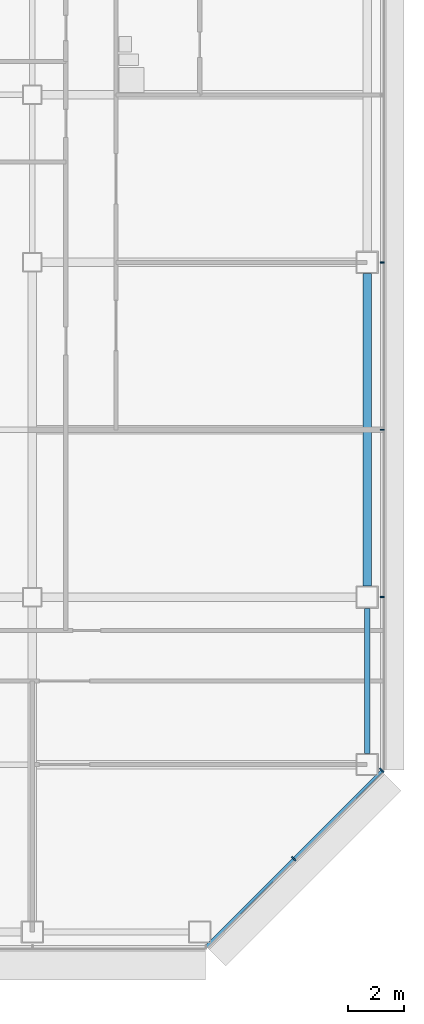
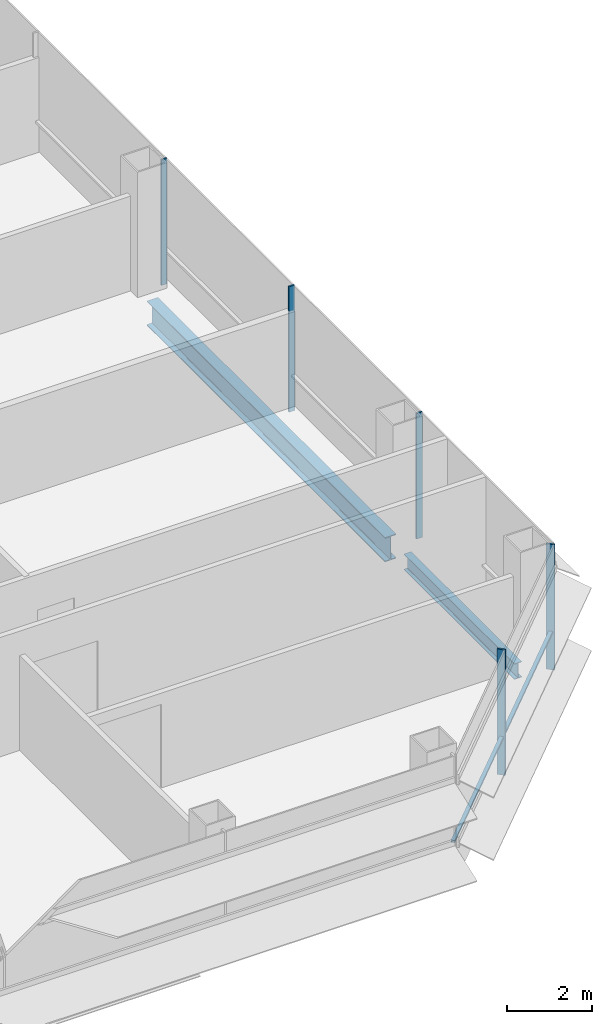
# One storey, part 15 of 25: 6 members, 2 beams, 2 elements without a shape of their own.
"""IFC4 building model written with IfcOpenShell, lengths in metres."""

from ifc_helpers import new_model, si_unit, direction, frame, origin, origin_2d, place, context, subcontext, project, spatial, rectangle, i_section, extrude, material, material_profile, profile_set, type_object, element, aggregate, save


model = new_model("IFC4")

# Units and contexts
model_context = context("Model", 3, precision=1e-05, world=origin(), true_north=direction((0.0, 1.0)))
body_context = subcontext(model_context, "Body", "Model", "MODEL_VIEW")
ifc_project = project(units=[si_unit("LENGTHUNIT", "METRE"), si_unit("AREAUNIT", "SQUARE_METRE"), si_unit("VOLUMEUNIT", "CUBIC_METRE"), si_unit("PLANEANGLEUNIT", "RADIAN"), si_unit("MASSUNIT", "GRAM", prefix="KILO")], contexts=[model_context])

# Site, building, storey
site_placement = place(None, origin())
site = spatial("IfcSite", under=ifc_project, at=site_placement, CompositionType="ELEMENT")
building_placement = place(site_placement, origin())
building = spatial("IfcBuilding", under=site, at=building_placement, Name="Sorahane Residences", CompositionType="ELEMENT")
storey_placement = place(building_placement, frame((0.0, 0.0, 126.800048828125)))
storey = spatial("IfcBuildingStorey", under=building, at=storey_placement, Name="L28", CompositionType="ELEMENT", Elevation=126.800048828125)

# Curtain wall, members
ifc_material_1 = material(Name="Dark low-e glass and black anodised aluminium", Category="aluminium")
curtain_wall_type_1 = type_object("IfcCurtainWallType", Name="Curtain wall CW-1 Typical unitised wall", PredefinedType="NOTDEFINED", material=ifc_material_1)
curtain_wall_1_placement = place(storey_placement, origin())
curtain_wall_1 = element("IfcCurtainWall", 1, at=curtain_wall_1_placement, inside=storey, type_object=curtain_wall_type_1, Name="CW-1 curtain wall L28 E1", PredefinedType="NOTDEFINED")
ifc_material_2 = material(Name="Black anodised aluminium", Category="aluminium")
ifc_material_profile_1 = material_profile(ifc_material_2, rectangle(XDim=0.159912109375, YDim=0.050048828125, at=origin_2d()), Name="Curtain wall mullion CW-1 black anodised aluminium 50x160")
ifc_profile_set_1 = profile_set([ifc_material_profile_1], Name="Black anodised aluminium")
member_type_1 = type_object("IfcMemberType", Name="Curtain wall mullion CW-1 black anodised aluminium 50x160", PredefinedType="MULLION", material=ifc_profile_set_1)
member_1_placement = place(storey_placement, frame((60.5400390625, 12.0, -0.179931640625), z_axis=(0.0, 0.0, 1.0), x_axis=(1.0, 0.0, 0.0)))
member_1 = element("IfcMember", 2, at=member_1_placement, type_object=member_type_1, Name="CW-1 mullion L28 E1.2", PredefinedType="MULLION", context=body_context, shape_type="SweptSolid", body=[
    extrude(rectangle(XDim=0.159912109375, YDim=0.050048828125, at=origin_2d()), origin(), (0.0, 0.0, 1.0), 3.599853515625),
])
member_2_placement = place(storey_placement, frame((60.5400390625, 18.0, -0.179931640625), z_axis=(0.0, 0.0, 1.0), x_axis=(1.0, 0.0, 0.0)))
member_2 = element("IfcMember", 3, at=member_2_placement, type_object=member_type_1, Name="CW-1 mullion L28 E1.3", PredefinedType="MULLION", context=body_context, shape_type="SweptSolid", body=[
    extrude(rectangle(XDim=0.159912109375, YDim=0.050048828125, at=origin_2d()), origin(), (0.0, 0.0, 1.0), 3.599853515625),
])
member_3_placement = place(storey_placement, frame((60.5400390625, 24.0, -0.179931640625), z_axis=(0.0, 0.0, 1.0), x_axis=(1.0, 0.0, 0.0)))
member_3 = element("IfcMember", 4, at=member_3_placement, type_object=member_type_1, Name="CW-1 mullion L28 E1.4", PredefinedType="MULLION", context=body_context, shape_type="SweptSolid", body=[
    extrude(rectangle(XDim=0.159912109375, YDim=0.050048828125, at=origin_2d()), origin(), (0.0, 0.0, 1.0), 3.599853515625),
])
aggregate(curtain_wall_1, [member_1, member_2, member_3])

ifc_material_3 = material(Name="Dark low-e glass and black anodised aluminium", Category="aluminium")
curtain_wall_type_2 = type_object("IfcCurtainWallType", Name="Curtain wall CW-2 Chamfer unitised wall", PredefinedType="NOTDEFINED", material=ifc_material_3)
curtain_wall_2_placement = place(storey_placement, origin())
curtain_wall_2 = element("IfcCurtainWall", 5, at=curtain_wall_2_placement, inside=storey, type_object=curtain_wall_type_2, Name="CW-2 curtain wall L28 SE1", PredefinedType="NOTDEFINED")
ifc_material_4 = material(Name="Black anodised aluminium", Category="aluminium")
ifc_material_profile_2 = material_profile(ifc_material_4, rectangle(XDim=0.199951171875, YDim=0.050048828125, at=origin_2d()), Name="Curtain wall mullion CW-2 black anodised aluminium 50x200")
ifc_profile_set_2 = profile_set([ifc_material_profile_2], Name="Black anodised aluminium")
member_type_2 = type_object("IfcMemberType", Name="Curtain wall mullion CW-2 black anodised aluminium 50x200", PredefinedType="MULLION", material=ifc_profile_set_2)
member_4_placement = place(storey_placement, frame((57.36767578125, 2.63232421875, -0.179931640625), z_axis=(0.0, 0.0, 1.0), x_axis=(0.707106781187, -0.707106781187, 0.0)))
member_4 = element("IfcMember", 6, at=member_4_placement, type_object=member_type_2, Name="CW-2 mullion L28 SE1.2", PredefinedType="MULLION", context=body_context, shape_type="SweptSolid", body=[
    extrude(rectangle(XDim=0.199951171875, YDim=0.050048828125, at=origin_2d()), origin(), (0.0, 0.0, 1.0), 3.599853515625),
])
member_5_placement = place(storey_placement, frame((60.525634765625, 5.790283203125, -0.179931640625), z_axis=(0.0, 0.0, 1.0), x_axis=(0.707106781187, -0.707106781187, 0.0)))
member_5 = element("IfcMember", 7, at=member_5_placement, type_object=member_type_2, Name="CW-2 mullion L28 SE1.3", PredefinedType="MULLION", context=body_context, shape_type="SweptSolid", body=[
    extrude(rectangle(XDim=0.199951171875, YDim=0.050048828125, at=origin_2d()), origin(), (0.0, 0.0, 1.0), 3.599853515625),
])
ifc_material_5 = material(Name="Black anodised aluminium", Category="aluminium")
ifc_material_profile_3 = material_profile(ifc_material_5, rectangle(XDim=0.10009765625, YDim=0.06005859375, at=origin_2d()), Name="Curtain wall transom CW-2 black anodised aluminium 60x100")
ifc_profile_set_3 = profile_set([ifc_material_profile_3], Name="Black anodised aluminium")
member_type_3 = type_object("IfcMemberType", Name="Curtain wall transom CW-2 black anodised aluminium 60x100", PredefinedType="USERDEFINED", material=ifc_profile_set_3)
member_6_placement = place(storey_placement, frame((54.234375, -0.51513671875, 0.89990234375), z_axis=(0.707106781187, 0.707106781187, 0.0), x_axis=(-0.707106781187, 0.707106781187, 0.0)))
member_6 = element("IfcMember", 8, at=member_6_placement, type_object=member_type_3, Name="CW-2 transom L28 SE1", ObjectType="TRANSOM", PredefinedType="USERDEFINED", context=body_context, shape_type="SweptSolid", body=[
    extrude(rectangle(XDim=0.10009765625, YDim=0.06005859375, at=origin_2d()), origin(), (0.0, 0.0, 1.0), 8.88232421875),
])
aggregate(curtain_wall_2, [member_4, member_5, member_6])

# Beams
ifc_material_6 = material(Name="Steel Q355B", Category="steel")
ifc_material_profile_4 = material_profile(ifc_material_6, i_section(OverallWidth=0.199951171875, OverallDepth=0.449951171875, WebThickness=0.009033203125, FlangeThickness=0.013916015625, FilletRadius=0.02001953125, at=origin_2d()), Name="HN 450x200x9x14")
ifc_profile_set_4 = profile_set([ifc_material_profile_4], Name="Steel Q355B")
beam_type_1 = type_object("IfcBeamType", Name="Steel floor beam HN 450x200x9x14 Q355B", PredefinedType="BEAM", material=ifc_profile_set_4)
beam_1_placement = place(storey_placement, frame((60.0, 6.39990234375, -0.405029296875), z_axis=(0.0, 1.0, 0.0), x_axis=(-1.0, 0.0, 0.0)))
element("IfcBeam", 9, at=beam_1_placement, inside=storey, type_object=beam_type_1, Name="Beam L28 064", PredefinedType="BEAM", context=body_context, shape_type="SweptSolid", body=[
    extrude(i_section(OverallWidth=0.199951171875, OverallDepth=0.449951171875, WebThickness=0.009033203125, FlangeThickness=0.013916015625, FilletRadius=0.02001953125, at=origin_2d()), origin(), (0.0, 0.0, 1.0), 5.2001953125),
])
ifc_material_7 = material(Name="Steel Q355B", Category="steel")
ifc_material_profile_5 = material_profile(ifc_material_7, i_section(OverallWidth=0.300048828125, OverallDepth=0.699951171875, WebThickness=0.012939453125, FlangeThickness=0.02392578125, FilletRadius=0.028076171875, at=origin_2d()), Name="HN 700x300x13x24")
ifc_profile_set_5 = profile_set([ifc_material_profile_5], Name="Steel Q355B")
beam_type_2 = type_object("IfcBeamType", Name="Steel floor beam HN 700x300x13x24 Q355B", PredefinedType="BEAM", material=ifc_profile_set_5)
beam_2_placement = place(storey_placement, frame((60.0, 12.39990234375, -0.530029296875), z_axis=(0.0, 1.0, 0.0), x_axis=(-1.0, 0.0, 0.0)))
element("IfcBeam", 10, at=beam_2_placement, inside=storey, type_object=beam_type_2, Name="Beam L28 065", PredefinedType="BEAM", context=body_context, shape_type="SweptSolid", body=[
    extrude(i_section(OverallWidth=0.300048828125, OverallDepth=0.699951171875, WebThickness=0.012939453125, FlangeThickness=0.02392578125, FilletRadius=0.028076171875, at=origin_2d()), origin(), (0.0, 0.0, 1.0), 11.2001953125),
])

save(model, "model.ifc")
